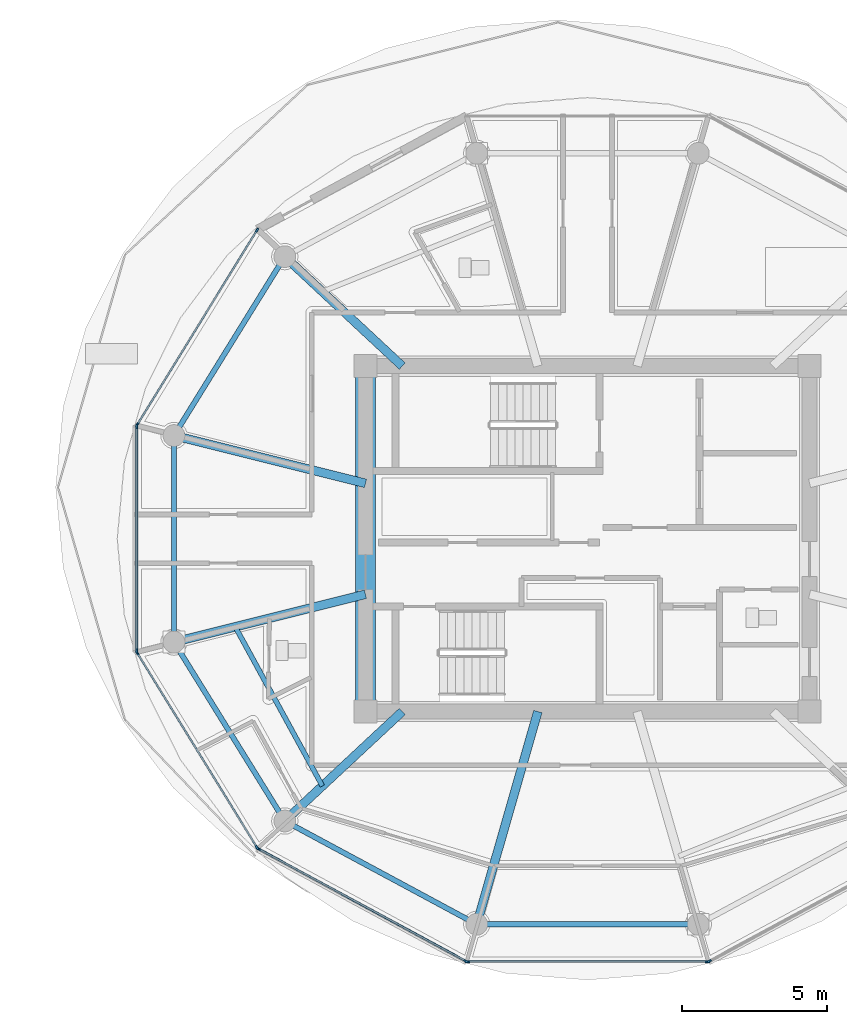
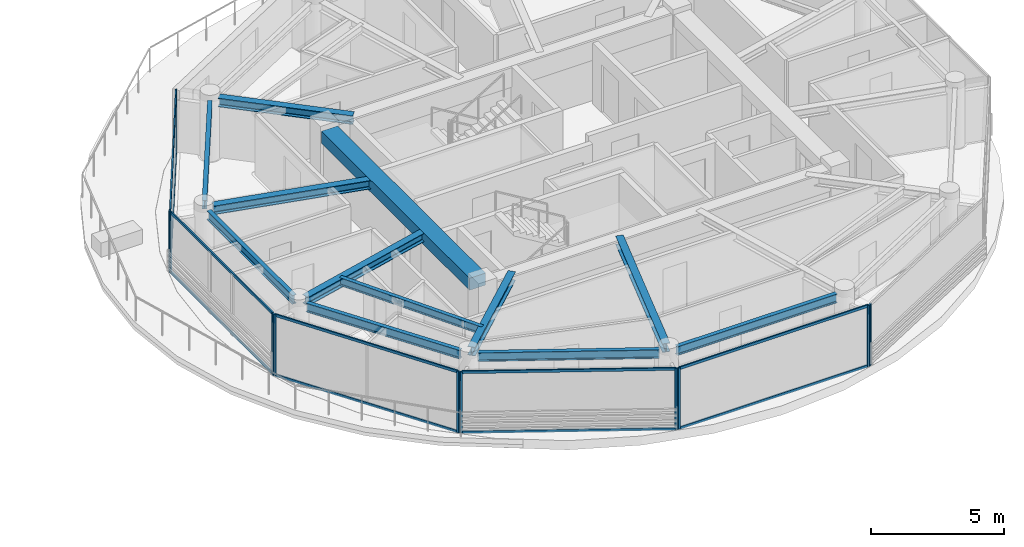
# One storey, part 5 of 28: 21 members, 12 beams, 6 elements without a shape of their own.
"""IFC4 building model written with IfcOpenShell, lengths in metres."""

from ifc_helpers import new_model, si_unit, direction, frame, origin, origin_2d, place, context, subcontext, project, spatial, rectangle, i_section, extrude, source, transform, mapped, material, layer, layer_set, material_profile, profile_set, type_object, type_shapes, element, aggregate, save


model = new_model("IFC4")

# Units and contexts
model_context = context("Model", 3, precision=1e-05, world=origin(), true_north=direction((0.0, 1.0)))
body_context = subcontext(model_context, "Body", "Model", "MODEL_VIEW")
ifc_project = project(units=[si_unit("LENGTHUNIT", "METRE"), si_unit("AREAUNIT", "SQUARE_METRE"), si_unit("VOLUMEUNIT", "CUBIC_METRE"), si_unit("PLANEANGLEUNIT", "RADIAN"), si_unit("MASSUNIT", "GRAM", prefix="KILO")], contexts=[model_context])

# Site, building, storey
site_placement = place(None, origin())
site = spatial("IfcSite", under=ifc_project, at=site_placement, CompositionType="ELEMENT")
building_placement = place(site_placement, origin())
building = spatial("IfcBuilding", under=site, at=building_placement, Name="Norrkilde Senior Care Towers", CompositionType="ELEMENT")
storey_placement = place(building_placement, frame((0.0, 0.0, 190.64990234375)))
storey = spatial("IfcBuildingStorey", under=building, at=storey_placement, Name="L59", CompositionType="ELEMENT", Elevation=190.64990234375)

# Beams
ifc_material_1 = material(Name="Concrete C60/75", Category="concrete")
ifc_material_profile_1 = material_profile(ifc_material_1, rectangle(XDim=0.699951171875, YDim=0.550048828125, at=origin_2d()), Name="RC BM 700x550")
ifc_profile_set_1 = profile_set([ifc_material_profile_1], Name="Concrete C60/75")
beam_type_1 = type_object("IfcBeamType", Name="Core Portal Coupling Beam 700x550", PredefinedType="USERDEFINED", material=ifc_profile_set_1)
shared_shape_1 = source(origin(), body_context, "Body", "SweptSolid", [
    extrude(rectangle(XDim=0.699951171875, YDim=0.550048828125, at=origin_2d()), origin(), (0.0, 0.0, 1.0), 11.14013671875),
])
type_shapes(beam_type_1, [shared_shape_1])
beam_1_placement = place(storey_placement, frame((20.35009765625, -5.570068359375, 2.53515625), z_axis=(0.0, 1.0, 0.0), x_axis=(-1.0, 0.0, 0.0)))
element("IfcBeam", 1, at=beam_1_placement, inside=storey, type_object=beam_type_1, Name="L59 Core E W Coupling Girder", ObjectType="GIRDER", PredefinedType="USERDEFINED", context=body_context, shape_type="MappedRepresentation", body=[
    mapped(shared_shape_1, transform((0.0, 0.0, 0.0), x_axis=(1.0, 0.0, 0.0), y_axis=(0.0, 1.0, 0.0), z_axis=(0.0, 0.0, 1.0), scale=1.0)),
])
ifc_material_2 = material(Name="Steel S355", Category="steel")
ifc_material_profile_2 = material_profile(ifc_material_2, i_section(OverallWidth=0.179931640625, OverallDepth=0.39990234375, WebThickness=0.008544921875, FlangeThickness=0.013427734375, FilletRadius=0.02099609375, at=origin_2d()), Name="IPE 400")
ifc_profile_set_2 = profile_set([ifc_material_profile_2], Name="Steel S355")
beam_type_2 = type_object("IfcBeamType", Name="Perimeter Ring Spandrel Z4 IPE400", PredefinedType="SPANDREL", material=ifc_profile_set_2)
shared_shape_2 = source(origin(), body_context, "Body", "SweptSolid", [
    extrude(i_section(OverallWidth=0.179931640625, OverallDepth=0.39990234375, WebThickness=0.008544921875, FlangeThickness=0.013427734375, FilletRadius=0.02099609375, at=origin_2d()), origin(), (0.0, 0.0, 1.0), 6.58056640625),
])
for number, where, z_axis, x_axis, name in (
    (2, (17.393798828125, 9.43798828125, 2.610107421875), (-0.526529583789, -0.850156807533, 0.0), (0.850156807533, -0.526529583789, 0.0), "L59 Drum E Perimeter Spandrel 05"),
    (3, (13.928955078125, -3.843505859375, 2.610107421875), (0.526529583789, -0.850156807533, 0.0), (0.850156807533, 0.526529583789, 0.0), "L59 Drum E Perimeter Spandrel 07"),
):
    element("IfcBeam", number, at=place(storey_placement, frame(where, z_axis=z_axis, x_axis=x_axis)), inside=storey, type_object=beam_type_2, Name=name, PredefinedType="SPANDREL", context=body_context, shape_type="MappedRepresentation", body=[
        mapped(shared_shape_2, transform((0.0, 0.0, 0.0), x_axis=(1.0, 0.0, 0.0), y_axis=(0.0, 1.0, 0.0), z_axis=(0.0, 0.0, 1.0), scale=1.0)),
    ])
ifc_material_profile_3 = material_profile(ifc_material_2, i_section(OverallWidth=0.300048828125, OverallDepth=0.39990234375, WebThickness=0.013427734375, FlangeThickness=0.02392578125, FilletRadius=0.027099609375, at=origin_2d()), Name="HEB 400")
ifc_profile_set_3 = profile_set([ifc_material_profile_3], Name="Steel S355")
beam_type_3 = type_object("IfcBeamType", Name="Radial Floor Beam Z4 HEB400", PredefinedType="BEAM", material=ifc_profile_set_3)
shared_shape_3 = source(origin(), body_context, "Body", "SweptSolid", [
    extrude(i_section(OverallWidth=0.300048828125, OverallDepth=0.39990234375, WebThickness=0.013427734375, FlangeThickness=0.02392578125, FilletRadius=0.027099609375, at=origin_2d()), origin(), (0.0, 0.0, 1.0), 6.465087890625),
])
for number, where, z_axis, x_axis, name in (
    (4, (20.35009765625, 1.910888671875, 2.610107421875), (-0.970195788563, 0.242322371758, 0.0), (-0.242322371758, -0.970195788563, 0.0), "L59 Drum E Radial Floor Beam 06"),
    (5, (20.35009765625, -1.910888671875, 2.610107421875), (-0.970195788563, -0.242322371758, 0.0), (0.242322371758, -0.970195788563, 0.0), "L59 Drum E Radial Floor Beam 07"),
):
    element("IfcBeam", number, at=place(storey_placement, frame(where, z_axis=z_axis, x_axis=x_axis)), inside=storey, type_object=beam_type_3, Name=name, PredefinedType="BEAM", context=body_context, shape_type="MappedRepresentation", body=[
        mapped(shared_shape_3, transform((0.0, 0.0, 0.0), x_axis=(1.0, 0.0, 0.0), y_axis=(0.0, 1.0, 0.0), z_axis=(0.0, 0.0, 1.0), scale=1.0)),
    ])
shared_shape_4 = source(origin(), body_context, "Body", "SweptSolid", [
    extrude(i_section(OverallWidth=0.179931640625, OverallDepth=0.39990234375, WebThickness=0.008544921875, FlangeThickness=0.013427734375, FilletRadius=0.02099609375, at=origin_2d()), origin(), (0.0, 0.0, 1.0), 6.839111328125),
])
beam_2_placement = place(storey_placement, frame((17.865234375, -9.881591796875, 2.610107421875), z_axis=(0.880563930732, -0.473927382511, 0.0), x_axis=(0.473927382511, 0.880563930732, 0.0)))
element("IfcBeam", 6, at=beam_2_placement, inside=storey, type_object=beam_type_2, Name="L59 Drum E Perimeter Spandrel 08", PredefinedType="SPANDREL", context=body_context, shape_type="MappedRepresentation", body=[
    mapped(shared_shape_4, transform((0.0, 0.0, 0.0), x_axis=(1.0, 0.0, 0.0), y_axis=(0.0, 1.0, 0.0), z_axis=(0.0, 0.0, 1.0), scale=1.0)),
])
shared_shape_5 = source(origin(), body_context, "Body", "SweptSolid", [
    extrude(i_section(OverallWidth=0.300048828125, OverallDepth=0.39990234375, WebThickness=0.013427734375, FlangeThickness=0.02392578125, FilletRadius=0.027099609375, at=origin_2d()), origin(), (0.0, 0.0, 1.0), 5.197998046875),
])
for number, where, z_axis, x_axis, name in (
    (7, (21.6171875, 5.949951171875, 2.610107421875), (-0.731448749334, 0.681896419625, 0.0), (-0.681896419625, -0.731448749334, 0.0), "L59 Drum E Radial Floor Beam 05"),
    (8, (21.6171875, -5.949951171875, 2.610107421875), (-0.731448749334, -0.681896419625, 0.0), (0.681896419625, -0.731448749334, 0.0), "L59 Drum E Radial Floor Beam 08"),
):
    element("IfcBeam", number, at=place(storey_placement, frame(where, z_axis=z_axis, x_axis=x_axis)), inside=storey, type_object=beam_type_3, Name=name, PredefinedType="BEAM", context=body_context, shape_type="MappedRepresentation", body=[
        mapped(shared_shape_5, transform((0.0, 0.0, 0.0), x_axis=(1.0, 0.0, 0.0), y_axis=(0.0, 1.0, 0.0), z_axis=(0.0, 0.0, 1.0), scale=1.0)),
    ])
shared_shape_6 = source(origin(), body_context, "Body", "SweptSolid", [
    extrude(i_section(OverallWidth=0.179931640625, OverallDepth=0.39990234375, WebThickness=0.008544921875, FlangeThickness=0.013427734375, FilletRadius=0.02099609375, at=origin_2d()), origin(), (0.0, 0.0, 1.0), 6.96533203125),
])
beam_3_placement = place(storey_placement, frame((24.517333984375, -13.281494140625, 2.610107421875), z_axis=(1.0, 0.0, 0.0), x_axis=(0.0, 1.0, 0.0)))
element("IfcBeam", 9, at=beam_3_placement, inside=storey, type_object=beam_type_2, Name="L59 Drum E Perimeter Spandrel 09", PredefinedType="SPANDREL", context=body_context, shape_type="MappedRepresentation", body=[
    mapped(shared_shape_6, transform((0.0, 0.0, 0.0), x_axis=(1.0, 0.0, 0.0), y_axis=(0.0, 1.0, 0.0), z_axis=(0.0, 0.0, 1.0), scale=1.0)),
])
shared_shape_7 = source(origin(), body_context, "Body", "SweptSolid", [
    extrude(i_section(OverallWidth=0.300048828125, OverallDepth=0.39990234375, WebThickness=0.013427734375, FlangeThickness=0.02392578125, FilletRadius=0.027099609375, at=origin_2d()), origin(), (0.0, 0.0, 1.0), 7.29345703125),
])
type_shapes(beam_type_3, [shared_shape_3, shared_shape_5, shared_shape_7])
beam_4_placement = place(storey_placement, frame((26.289794921875, -5.949951171875, 2.610107421875), z_axis=(-0.276263751906, -0.961081858836, 0.0), x_axis=(0.961081858836, -0.276263751906, 0.0)))
element("IfcBeam", 10, at=beam_4_placement, inside=storey, type_object=beam_type_3, Name="L59 Drum E Radial Floor Beam 09", PredefinedType="BEAM", context=body_context, shape_type="MappedRepresentation", body=[
    mapped(shared_shape_7, transform((0.0, 0.0, 0.0), x_axis=(1.0, 0.0, 0.0), y_axis=(0.0, 1.0, 0.0), z_axis=(0.0, 0.0, 1.0), scale=1.0)),
])
shared_shape_8 = source(origin(), body_context, "Body", "SweptSolid", [
    extrude(i_section(OverallWidth=0.179931640625, OverallDepth=0.39990234375, WebThickness=0.008544921875, FlangeThickness=0.013427734375, FilletRadius=0.02099609375, at=origin_2d()), origin(), (0.0, 0.0, 1.0), 6.44775390625),
])
type_shapes(beam_type_2, [shared_shape_2, shared_shape_4, shared_shape_6, shared_shape_8])
beam_5_placement = place(storey_placement, frame((13.752685546875, 3.223876953125, 2.610107421875), z_axis=(0.0, -1.0, 0.0), x_axis=(1.0, 0.0, 0.0)))
element("IfcBeam", 11, at=beam_5_placement, inside=storey, type_object=beam_type_2, Name="L59 Drum E Perimeter Spandrel 06", PredefinedType="SPANDREL", context=body_context, shape_type="MappedRepresentation", body=[
    mapped(shared_shape_8, transform((0.0, 0.0, 0.0), x_axis=(1.0, 0.0, 0.0), y_axis=(0.0, 1.0, 0.0), z_axis=(0.0, 0.0, 1.0), scale=1.0)),
])
ifc_material_profile_4 = material_profile(ifc_material_2, i_section(OverallWidth=0.169921875, OverallDepth=0.360107421875, WebThickness=0.008056640625, FlangeThickness=0.0126953125, FilletRadius=0.01806640625, at=origin_2d()), Name="IPE 360")
ifc_profile_set_4 = profile_set([ifc_material_profile_4], Name="Steel S355")
beam_type_4 = type_object("IfcBeamType", Name="Secondary Floor Joist IPE360", PredefinedType="JOIST", material=ifc_profile_set_4)
shared_shape_9 = source(origin(), body_context, "Body", "SweptSolid", [
    extrude(i_section(OverallWidth=0.169921875, OverallDepth=0.360107421875, WebThickness=0.008056640625, FlangeThickness=0.0126953125, FilletRadius=0.01806640625, at=origin_2d()), origin(), (0.0, 0.0, 1.0), 6.25146484375),
])
type_shapes(beam_type_4, [shared_shape_9])
beam_6_placement = place(storey_placement, frame((15.86376953125, -3.031494140625, 2.630126953125), z_axis=(0.480115752653, -0.877205143655, 0.0), x_axis=(0.877205143655, 0.480115752653, 0.0)))
element("IfcBeam", 12, at=beam_6_placement, inside=storey, type_object=beam_type_4, Name="L59 Drum E Secondary Floor Joist 3", PredefinedType="JOIST", context=body_context, shape_type="MappedRepresentation", body=[
    mapped(shared_shape_9, transform((0.0, 0.0, 0.0), x_axis=(1.0, 0.0, 0.0), y_axis=(0.0, 1.0, 0.0), z_axis=(0.0, 0.0, 1.0), scale=1.0)),
])

# Curtain wall, members
ifc_material_3 = material(Name="Triple Low-E Insulated Glazing", Category="glass")
ifc_layer = layer(ifc_material_3, 0.18505859375)
ifc_layer_set = layer_set([ifc_layer], Name="Triple Low-E Insulated Glazing")
curtain_wall_type = type_object("IfcCurtainWallType", Name="CW6 Zone 4 Crown Pavilion Curtain Wall", PredefinedType="NOTDEFINED", material=ifc_layer_set)
curtain_wall_1_placement = place(storey_placement, origin())
curtain_wall_1 = element("IfcCurtainWall", 13, at=curtain_wall_1_placement, inside=storey, type_object=curtain_wall_type, Name="L59 Drum E Curtain Wall 04", PredefinedType="NOTDEFINED")
ifc_material_4 = material(Name="Anodised Aluminium", Category="aluminium")
ifc_material_profile_5 = material_profile(ifc_material_4, rectangle(XDim=0.06494140625, YDim=0.14990234375, at=origin_2d()), Name="ALU MULL 65x150")
ifc_profile_set_5 = profile_set([ifc_material_profile_5], Name="Anodised Aluminium")
member_type_1 = type_object("IfcMemberType", Name="Curtain Wall Mullion Z3-Z4 65x150", PredefinedType="MULLION", material=ifc_profile_set_5)
shared_shape_10 = source(origin(), body_context, "Body", "SweptSolid", [
    extrude(rectangle(XDim=0.06494140625, YDim=0.14990234375, at=origin_2d()), origin(), (0.0, 0.0, 1.0), 2.81005859375),
])
type_shapes(member_type_1, [shared_shape_10])
member_1_placement = place(storey_placement, frame((12.48486328125, 3.9306640625, 0.0), z_axis=(0.0, 0.0, 1.0), x_axis=(-0.851562727283, 0.524252726748, 0.0)))
member_1 = element("IfcMember", 14, at=member_1_placement, type_object=member_type_1, Name="CW-6 mullion 1", PredefinedType="MULLION", context=body_context, shape_type="MappedRepresentation", body=[
    mapped(shared_shape_10, transform((0.0, 0.0, 0.0), x_axis=(1.0, 0.0, 0.0), y_axis=(0.0, 1.0, 0.0), z_axis=(0.0, 0.0, 1.0), scale=1.0)),
])
member_2_placement = place(storey_placement, frame((16.61279296875, 10.635498046875, 0.0), z_axis=(0.0, 0.0, 1.0), x_axis=(-0.851562727283, 0.524252726748, 0.0)))
member_2 = element("IfcMember", 15, at=member_2_placement, type_object=member_type_1, Name="CW-6 mullion 2", PredefinedType="MULLION", context=body_context, shape_type="MappedRepresentation", body=[
    mapped(shared_shape_10, transform((0.0, 0.0, 0.0), x_axis=(1.0, 0.0, 0.0), y_axis=(0.0, 1.0, 0.0), z_axis=(0.0, 0.0, 1.0), scale=1.0)),
])

curtain_wall_2_placement = place(storey_placement, origin())
curtain_wall_2 = element("IfcCurtainWall", 16, at=curtain_wall_2_placement, inside=storey, type_object=curtain_wall_type, Name="L59 Drum E Curtain Wall 05", PredefinedType="NOTDEFINED")
member_3_placement = place(storey_placement, frame((12.468017578125, -3.87060546875, 0.0), z_axis=(0.0, 0.0, 1.0), x_axis=(-1.0, 0.0, 0.0)))
member_3 = element("IfcMember", 17, at=member_3_placement, type_object=member_type_1, Name="CW-6 mullion 1", PredefinedType="MULLION", context=body_context, shape_type="MappedRepresentation", body=[
    mapped(shared_shape_10, transform((0.0, 0.0, 0.0), x_axis=(1.0, 0.0, 0.0), y_axis=(0.0, 1.0, 0.0), z_axis=(0.0, 0.0, 1.0), scale=1.0)),
])
member_4_placement = place(storey_placement, frame((12.468017578125, 3.87060546875, 0.0), z_axis=(0.0, 0.0, 1.0), x_axis=(-1.0, 0.0, 0.0)))
member_4 = element("IfcMember", 18, at=member_4_placement, type_object=member_type_1, Name="CW-6 mullion 2", PredefinedType="MULLION", context=body_context, shape_type="MappedRepresentation", body=[
    mapped(shared_shape_10, transform((0.0, 0.0, 0.0), x_axis=(1.0, 0.0, 0.0), y_axis=(0.0, 1.0, 0.0), z_axis=(0.0, 0.0, 1.0), scale=1.0)),
])

curtain_wall_3_placement = place(storey_placement, origin())
curtain_wall_3 = element("IfcCurtainWall", 19, at=curtain_wall_3_placement, inside=storey, type_object=curtain_wall_type, Name="L59 Drum E Curtain Wall 06", PredefinedType="NOTDEFINED")
member_5_placement = place(storey_placement, frame((16.61279296875, -10.635498046875, 0.0), z_axis=(0.0, 0.0, 1.0), x_axis=(-0.851562727283, -0.524252726748, 0.0)))
member_5 = element("IfcMember", 20, at=member_5_placement, type_object=member_type_1, Name="CW-6 mullion 1", PredefinedType="MULLION", context=body_context, shape_type="MappedRepresentation", body=[
    mapped(shared_shape_10, transform((0.0, 0.0, 0.0), x_axis=(1.0, 0.0, 0.0), y_axis=(0.0, 1.0, 0.0), z_axis=(0.0, 0.0, 1.0), scale=1.0)),
])
member_6_placement = place(storey_placement, frame((12.48486328125, -3.9306640625, 0.0), z_axis=(0.0, 0.0, 1.0), x_axis=(-0.851562727283, -0.524252726748, 0.0)))
member_6 = element("IfcMember", 21, at=member_6_placement, type_object=member_type_1, Name="CW-6 mullion 2", PredefinedType="MULLION", context=body_context, shape_type="MappedRepresentation", body=[
    mapped(shared_shape_10, transform((0.0, 0.0, 0.0), x_axis=(1.0, 0.0, 0.0), y_axis=(0.0, 1.0, 0.0), z_axis=(0.0, 0.0, 1.0), scale=1.0)),
])

curtain_wall_4_placement = place(storey_placement, origin())
curtain_wall_4 = element("IfcCurtainWall", 22, at=curtain_wall_4_placement, inside=storey, type_object=curtain_wall_type, Name="L59 Drum E Curtain Wall 07", PredefinedType="NOTDEFINED")
member_7_placement = place(storey_placement, frame((23.8095703125, -14.55078125, 0.0), z_axis=(0.0, 0.0, 1.0), x_axis=(-0.476132676136, -0.879373455772, 0.0)))
member_7 = element("IfcMember", 23, at=member_7_placement, type_object=member_type_1, Name="CW-6 mullion 1", PredefinedType="MULLION", context=body_context, shape_type="MappedRepresentation", body=[
    mapped(shared_shape_10, transform((0.0, 0.0, 0.0), x_axis=(1.0, 0.0, 0.0), y_axis=(0.0, 1.0, 0.0), z_axis=(0.0, 0.0, 1.0), scale=1.0)),
])
member_8_placement = place(storey_placement, frame((16.658203125, -10.6787109375, 0.0), z_axis=(0.0, 0.0, 1.0), x_axis=(-0.476132676136, -0.879373455772, 0.0)))
member_8 = element("IfcMember", 24, at=member_8_placement, type_object=member_type_1, Name="CW-6 mullion 2", PredefinedType="MULLION", context=body_context, shape_type="MappedRepresentation", body=[
    mapped(shared_shape_10, transform((0.0, 0.0, 0.0), x_axis=(1.0, 0.0, 0.0), y_axis=(0.0, 1.0, 0.0), z_axis=(0.0, 0.0, 1.0), scale=1.0)),
])

curtain_wall_5_placement = place(storey_placement, origin())
curtain_wall_5 = element("IfcCurtainWall", 25, at=curtain_wall_5_placement, inside=storey, type_object=curtain_wall_type, Name="L59 Drum E Curtain Wall 08", PredefinedType="NOTDEFINED")
member_9_placement = place(storey_placement, frame((32.12939453125, -14.566162109375, 0.0), z_axis=(0.0, 0.0, 1.0), x_axis=(0.0, -1.0, 0.0)))
member_9 = element("IfcMember", 26, at=member_9_placement, type_object=member_type_1, Name="CW-6 mullion 1", PredefinedType="MULLION", context=body_context, shape_type="MappedRepresentation", body=[
    mapped(shared_shape_10, transform((0.0, 0.0, 0.0), x_axis=(1.0, 0.0, 0.0), y_axis=(0.0, 1.0, 0.0), z_axis=(0.0, 0.0, 1.0), scale=1.0)),
])
member_10_placement = place(storey_placement, frame((23.87060546875, -14.566162109375, 0.0), z_axis=(0.0, 0.0, 1.0), x_axis=(0.0, -1.0, 0.0)))
member_10 = element("IfcMember", 27, at=member_10_placement, type_object=member_type_1, Name="CW-6 mullion 2", PredefinedType="MULLION", context=body_context, shape_type="MappedRepresentation", body=[
    mapped(shared_shape_10, transform((0.0, 0.0, 0.0), x_axis=(1.0, 0.0, 0.0), y_axis=(0.0, 1.0, 0.0), z_axis=(0.0, 0.0, 1.0), scale=1.0)),
])

# Curtain wall, member
curtain_wall_6_placement = place(storey_placement, origin())
curtain_wall_6 = element("IfcCurtainWall", 28, at=curtain_wall_6_placement, inside=storey, type_object=curtain_wall_type, Name="L59 Drum E Curtain Wall 09", PredefinedType="NOTDEFINED")
member_11_placement = place(storey_placement, frame((32.1904296875, -14.55078125, 0.0), z_axis=(0.0, 0.0, 1.0), x_axis=(0.476132676136, -0.879373455772, 0.0)))
member_11 = element("IfcMember", 29, at=member_11_placement, type_object=member_type_1, Name="CW-6 mullion 2", PredefinedType="MULLION", context=body_context, shape_type="MappedRepresentation", body=[
    mapped(shared_shape_10, transform((0.0, 0.0, 0.0), x_axis=(1.0, 0.0, 0.0), y_axis=(0.0, 1.0, 0.0), z_axis=(0.0, 0.0, 1.0), scale=1.0)),
])
aggregate(curtain_wall_6, [member_11])

# Member
ifc_material_profile_6 = material_profile(ifc_material_4, rectangle(XDim=0.06005859375, YDim=0.1201171875, at=origin_2d()), Name="ALU TRAN 60x120")
ifc_profile_set_6 = profile_set([ifc_material_profile_6], Name="Anodised Aluminium")
member_type_2 = type_object("IfcMemberType", Name="Curtain Wall Transom Typical 60x120", PredefinedType="USERDEFINED", material=ifc_profile_set_6)
shared_shape_11 = source(origin(), body_context, "Body", "SweptSolid", [
    extrude(rectangle(XDim=0.06005859375, YDim=0.1201171875, at=origin_2d()), origin(), (0.0, 0.0, 1.0), 7.808837890625),
])
member_12_placement = place(storey_placement, frame((12.501953125, 3.958251953125, 0.030029296875), z_axis=(0.524250924101, 0.851563837055, 0.0), x_axis=(-0.851563837055, 0.524250924101, 0.0)))
member_12 = element("IfcMember", 30, at=member_12_placement, type_object=member_type_2, Name="CW-6 transom 1.1", ObjectType="TRANSOM", PredefinedType="USERDEFINED", context=body_context, shape_type="MappedRepresentation", body=[
    mapped(shared_shape_11, transform((0.0, 0.0, 0.0), x_axis=(1.0, 0.0, 0.0), y_axis=(0.0, 1.0, 0.0), z_axis=(0.0, 0.0, 1.0), scale=1.0)),
])

member_13_placement = place(storey_placement, frame((12.501953125, 3.958251953125, 2.780029296875), z_axis=(0.524250924101, 0.851563837055, 0.0), x_axis=(-0.851563837055, 0.524250924101, 0.0)))
member_13 = element("IfcMember", 31, at=member_13_placement, type_object=member_type_2, Name="CW-6 transom 1.2", ObjectType="TRANSOM", PredefinedType="USERDEFINED", context=body_context, shape_type="MappedRepresentation", body=[
    mapped(shared_shape_11, transform((0.0, 0.0, 0.0), x_axis=(1.0, 0.0, 0.0), y_axis=(0.0, 1.0, 0.0), z_axis=(0.0, 0.0, 1.0), scale=1.0)),
])

aggregate(curtain_wall_1, [member_1, member_2, member_12, member_13])

member_14_placement = place(storey_placement, frame((16.595703125, -10.60791015625, 0.030029296875), z_axis=(-0.524250924101, 0.851563837055, 0.0), x_axis=(-0.851563837055, -0.524250924101, 0.0)))
member_14 = element("IfcMember", 32, at=member_14_placement, type_object=member_type_2, Name="CW-6 transom 1.1", ObjectType="TRANSOM", PredefinedType="USERDEFINED", context=body_context, shape_type="MappedRepresentation", body=[
    mapped(shared_shape_11, transform((0.0, 0.0, 0.0), x_axis=(1.0, 0.0, 0.0), y_axis=(0.0, 1.0, 0.0), z_axis=(0.0, 0.0, 1.0), scale=1.0)),
])

member_15_placement = place(storey_placement, frame((16.595703125, -10.60791015625, 2.780029296875), z_axis=(-0.524250924101, 0.851563837055, 0.0), x_axis=(-0.851563837055, -0.524250924101, 0.0)))
member_15 = element("IfcMember", 33, at=member_15_placement, type_object=member_type_2, Name="CW-6 transom 1.2", ObjectType="TRANSOM", PredefinedType="USERDEFINED", context=body_context, shape_type="MappedRepresentation", body=[
    mapped(shared_shape_11, transform((0.0, 0.0, 0.0), x_axis=(1.0, 0.0, 0.0), y_axis=(0.0, 1.0, 0.0), z_axis=(0.0, 0.0, 1.0), scale=1.0)),
])

aggregate(curtain_wall_3, [member_5, member_6, member_14, member_15])

shared_shape_12 = source(origin(), body_context, "Body", "SweptSolid", [
    extrude(rectangle(XDim=0.06005859375, YDim=0.1201171875, at=origin_2d()), origin(), (0.0, 0.0, 1.0), 8.19384765625),
])
member_16_placement = place(storey_placement, frame((32.096923828125, -14.566162109375, 0.030029296875), z_axis=(-1.0, 0.0, 0.0), x_axis=(0.0, -1.0, 0.0)))
member_16 = element("IfcMember", 34, at=member_16_placement, type_object=member_type_2, Name="CW-6 transom 1.1", ObjectType="TRANSOM", PredefinedType="USERDEFINED", context=body_context, shape_type="MappedRepresentation", body=[
    mapped(shared_shape_12, transform((0.0, 0.0, 0.0), x_axis=(1.0, 0.0, 0.0), y_axis=(0.0, 1.0, 0.0), z_axis=(0.0, 0.0, 1.0), scale=1.0)),
])

member_17_placement = place(storey_placement, frame((32.096923828125, -14.566162109375, 2.780029296875), z_axis=(-1.0, 0.0, 0.0), x_axis=(0.0, -1.0, 0.0)))
member_17 = element("IfcMember", 35, at=member_17_placement, type_object=member_type_2, Name="CW-6 transom 1.2", ObjectType="TRANSOM", PredefinedType="USERDEFINED", context=body_context, shape_type="MappedRepresentation", body=[
    mapped(shared_shape_12, transform((0.0, 0.0, 0.0), x_axis=(1.0, 0.0, 0.0), y_axis=(0.0, 1.0, 0.0), z_axis=(0.0, 0.0, 1.0), scale=1.0)),
])

aggregate(curtain_wall_5, [member_9, member_10, member_16, member_17])

shared_shape_13 = source(origin(), body_context, "Body", "SweptSolid", [
    extrude(rectangle(XDim=0.06005859375, YDim=0.1201171875, at=origin_2d()), origin(), (0.0, 0.0, 1.0), 8.0673828125),
])
member_18_placement = place(storey_placement, frame((23.781005859375, -14.53515625, 0.030029296875), z_axis=(-0.87937750072, 0.476125205411, 0.0), x_axis=(-0.476125205411, -0.87937750072, 0.0)))
member_18 = element("IfcMember", 36, at=member_18_placement, type_object=member_type_2, Name="CW-6 transom 1.1", ObjectType="TRANSOM", PredefinedType="USERDEFINED", context=body_context, shape_type="MappedRepresentation", body=[
    mapped(shared_shape_13, transform((0.0, 0.0, 0.0), x_axis=(1.0, 0.0, 0.0), y_axis=(0.0, 1.0, 0.0), z_axis=(0.0, 0.0, 1.0), scale=1.0)),
])

member_19_placement = place(storey_placement, frame((23.781005859375, -14.53515625, 2.780029296875), z_axis=(-0.87937750072, 0.476125205411, 0.0), x_axis=(-0.476125205411, -0.87937750072, 0.0)))
member_19 = element("IfcMember", 37, at=member_19_placement, type_object=member_type_2, Name="CW-6 transom 1.2", ObjectType="TRANSOM", PredefinedType="USERDEFINED", context=body_context, shape_type="MappedRepresentation", body=[
    mapped(shared_shape_13, transform((0.0, 0.0, 0.0), x_axis=(1.0, 0.0, 0.0), y_axis=(0.0, 1.0, 0.0), z_axis=(0.0, 0.0, 1.0), scale=1.0)),
])

aggregate(curtain_wall_4, [member_7, member_8, member_18, member_19])

shared_shape_14 = source(origin(), body_context, "Body", "SweptSolid", [
    extrude(rectangle(XDim=0.06005859375, YDim=0.1201171875, at=origin_2d()), origin(), (0.0, 0.0, 1.0), 7.67578125),
])
type_shapes(member_type_2, [shared_shape_11, shared_shape_12, shared_shape_13, shared_shape_14])
member_20_placement = place(storey_placement, frame((12.468017578125, -3.837890625, 0.030029296875), z_axis=(0.0, 1.0, 0.0), x_axis=(-1.0, 0.0, 0.0)))
member_20 = element("IfcMember", 38, at=member_20_placement, type_object=member_type_2, Name="CW-6 transom 1.1", ObjectType="TRANSOM", PredefinedType="USERDEFINED", context=body_context, shape_type="MappedRepresentation", body=[
    mapped(shared_shape_14, transform((0.0, 0.0, 0.0), x_axis=(1.0, 0.0, 0.0), y_axis=(0.0, 1.0, 0.0), z_axis=(0.0, 0.0, 1.0), scale=1.0)),
])

member_21_placement = place(storey_placement, frame((12.468017578125, -3.837890625, 2.780029296875), z_axis=(0.0, 1.0, 0.0), x_axis=(-1.0, 0.0, 0.0)))
member_21 = element("IfcMember", 39, at=member_21_placement, type_object=member_type_2, Name="CW-6 transom 1.2", ObjectType="TRANSOM", PredefinedType="USERDEFINED", context=body_context, shape_type="MappedRepresentation", body=[
    mapped(shared_shape_14, transform((0.0, 0.0, 0.0), x_axis=(1.0, 0.0, 0.0), y_axis=(0.0, 1.0, 0.0), z_axis=(0.0, 0.0, 1.0), scale=1.0)),
])

aggregate(curtain_wall_2, [member_3, member_4, member_20, member_21])

save(model, "model.ifc")
